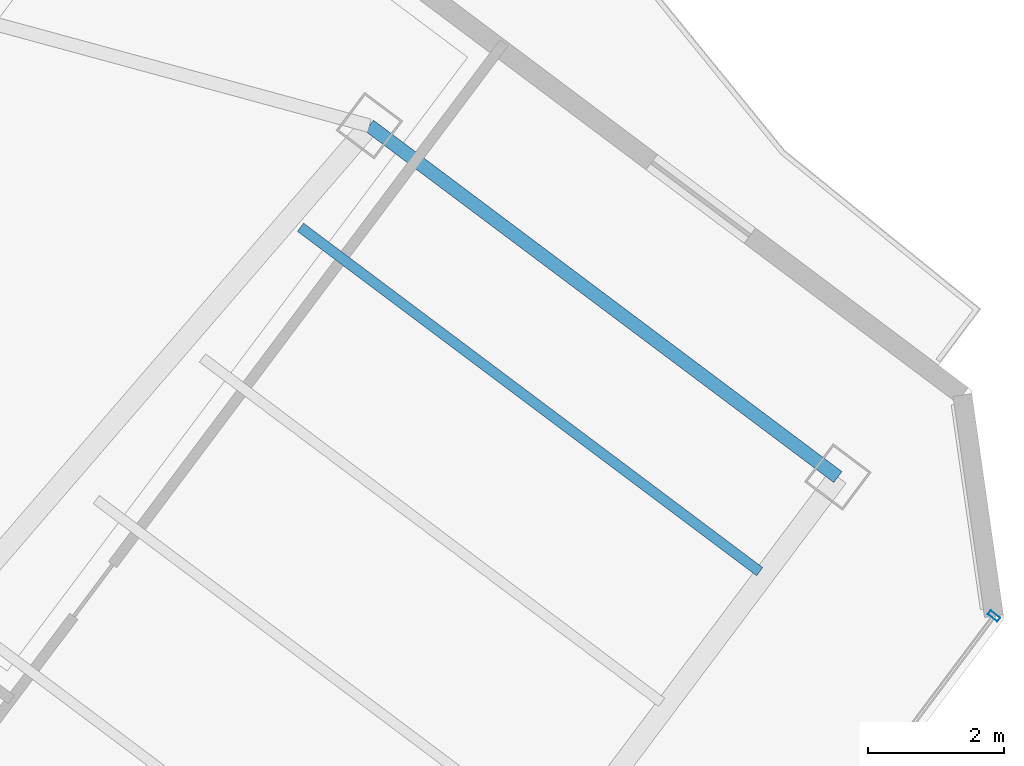
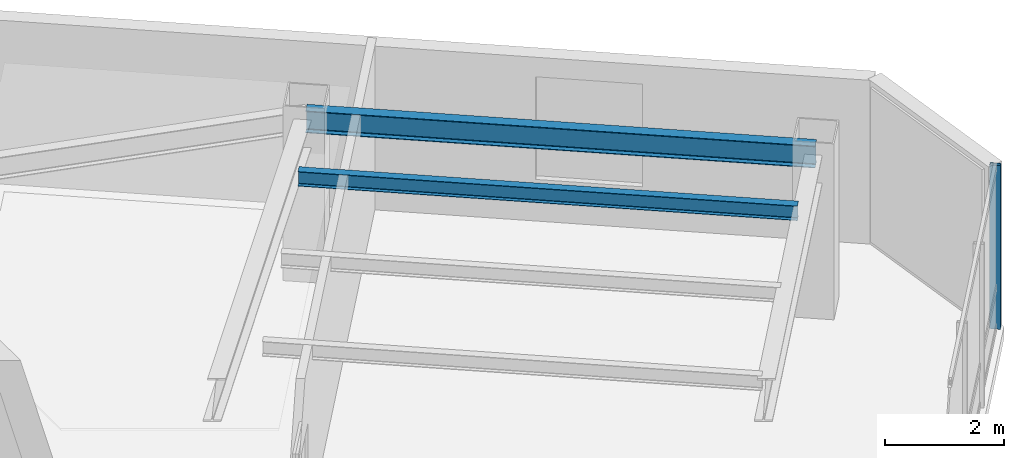
# One storey, part 14 of 25: 2 beams, 1 member, 1 element without a shape of its own.
"""IFC4 building model written with IfcOpenShell, lengths in metres."""

from ifc_helpers import new_model, si_unit, direction, frame, origin, origin_2d, place, context, subcontext, project, spatial, hollow_rectangle, i_section, extrude, material, layer, layer_set, material_profile, profile_set, type_object, element, aggregate, save


model = new_model("IFC4")

# Units and contexts
model_context = context("Model", 3, precision=1e-05, world=origin(), true_north=direction((0.0, 1.0)))
body_context = subcontext(model_context, "Body", "Model", "MODEL_VIEW")
ifc_project = project(units=[si_unit("LENGTHUNIT", "METRE"), si_unit("AREAUNIT", "SQUARE_METRE"), si_unit("VOLUMEUNIT", "CUBIC_METRE"), si_unit("PLANEANGLEUNIT", "RADIAN"), si_unit("MASSUNIT", "GRAM", prefix="KILO")], contexts=[model_context])

# Site, building, storey
site_placement = place(None, origin())
site = spatial("IfcSite", under=ifc_project, at=site_placement, CompositionType="ELEMENT")
building_placement = place(site_placement, origin())
building = spatial("IfcBuilding", under=site, at=building_placement, Name="Hatsunagi Terrace Concourse", CompositionType="ELEMENT")
storey_placement = place(building_placement, frame((0.0, 0.0, 220.35009765625)))
storey = spatial("IfcBuildingStorey", under=building, at=storey_placement, Name="L58", CompositionType="ELEMENT", Elevation=220.35009765625)

# Curtain wall, member
ifc_material_1 = material(Name="Anodised Aluminium Alloy 6063-T5", Category="aluminium")
ifc_layer = layer(ifc_material_1, 0.199951171875)
ifc_layer_set = layer_set([ifc_layer], Name="OfficeZone2_CW04")
curtain_wall_type = type_object("IfcCurtainWallType", Name="OfficeZone2_CW04", PredefinedType="NOTDEFINED", material=ifc_layer_set)
curtain_wall_placement = place(storey_placement, origin())
curtain_wall = element("IfcCurtainWall", 1, at=curtain_wall_placement, inside=storey, type_object=curtain_wall_type, Name="Unitised Curtain Wall CW-04 CW-L58-03", PredefinedType="NOTDEFINED")
ifc_material_2 = material(Name="Anodised Aluminium Alloy 6063-T5", Category="aluminium")
ifc_material_profile_1 = material_profile(ifc_material_2, hollow_rectangle(XDim=0.070068359375, YDim=0.179931640625, WallThickness=0.00390625, at=origin_2d()), Name="ALU-MUL-180x70x4")
ifc_profile_set_1 = profile_set([ifc_material_profile_1], Name="Anodised Aluminium Alloy 6063-T5")
member_type = type_object("IfcMemberType", Name="CurtainWallMullion_180x70", PredefinedType="MULLION", material=ifc_profile_set_1)
member_placement = place(storey_placement, frame((60.693115234375, 25.9580078125, 0.0), z_axis=(0.0, 0.0, 1.0), x_axis=(-0.599969314634, -0.800023013105, 0.0)))
member = element("IfcMember", 2, at=member_placement, type_object=member_type, Name="Curtain Wall Mullion MUL-02", PredefinedType="MULLION", context=body_context, shape_type="SweptSolid", body=[
    extrude(hollow_rectangle(XDim=0.070068359375, YDim=0.179931640625, WallThickness=0.00390625, at=origin_2d()), origin(), (0.0, 0.0, 1.0), 3.349853515625),
])
aggregate(curtain_wall, [member])

# Beams
ifc_material_3 = material(Name="Steel SN490B", Category="steel")
ifc_material_profile_2 = material_profile(ifc_material_3, i_section(OverallWidth=0.14990234375, OverallDepth=0.300048828125, WebThickness=0.006591796875, FlangeThickness=0.009033203125, FilletRadius=0.010986328125, at=origin_2d()), Name="H-300x150x6.5x9")
ifc_profile_set_2 = profile_set([ifc_material_profile_2], Name="Steel SN490B")
beam_type_1 = type_object("IfcBeamType", Name="OfficeJoist_H_300x150", PredefinedType="JOIST", material=ifc_profile_set_2)
beam_1_placement = place(storey_placement, frame((50.508056640625, 31.6689453125, 3.199951171875), z_axis=(0.800003475366, -0.59999536615, 0.0), x_axis=(0.59999536615, 0.800003475366, 0.0)))
element("IfcBeam", 3, at=beam_1_placement, inside=storey, type_object=beam_type_1, Name="Beam J-03 J-L58-SE-2-218", PredefinedType="JOIST", context=body_context, shape_type="SweptSolid", body=[
    extrude(i_section(OverallWidth=0.14990234375, OverallDepth=0.300048828125, WebThickness=0.006591796875, FlangeThickness=0.009033203125, FilletRadius=0.010986328125, at=origin_2d()), origin(), (0.0, 0.0, 1.0), 8.429931640625),
])
ifc_material_4 = material(Name="Steel SN490B", Category="steel")
ifc_material_profile_3 = material_profile(ifc_material_4, i_section(OverallWidth=0.199951171875, OverallDepth=0.449951171875, WebThickness=0.009033203125, FlangeThickness=0.013916015625, FilletRadius=0.01611328125, at=origin_2d()), Name="H-450x200x9x14")
ifc_profile_set_3 = profile_set([ifc_material_profile_3], Name="Steel SN490B")
beam_type_2 = type_object("IfcBeamType", Name="PerimeterSpandrel_H_450x200", PredefinedType="SPANDREL", material=ifc_profile_set_3)
beam_2_placement = place(storey_placement, frame((51.52001953125, 33.159912109375, 3.125), z_axis=(0.8, -0.6, 0.0), x_axis=(0.6, 0.8, 0.0)))
element("IfcBeam", 4, at=beam_2_placement, inside=storey, type_object=beam_type_2, Name="Beam SP-02 BM-L58-SE-NE2", PredefinedType="SPANDREL", context=body_context, shape_type="SweptSolid", body=[
    extrude(i_section(OverallWidth=0.199951171875, OverallDepth=0.449951171875, WebThickness=0.009033203125, FlangeThickness=0.013916015625, FilletRadius=0.01611328125, at=origin_2d()), origin(), (0.0, 0.0, 1.0), 8.599853515625),
])

save(model, "model.ifc")
